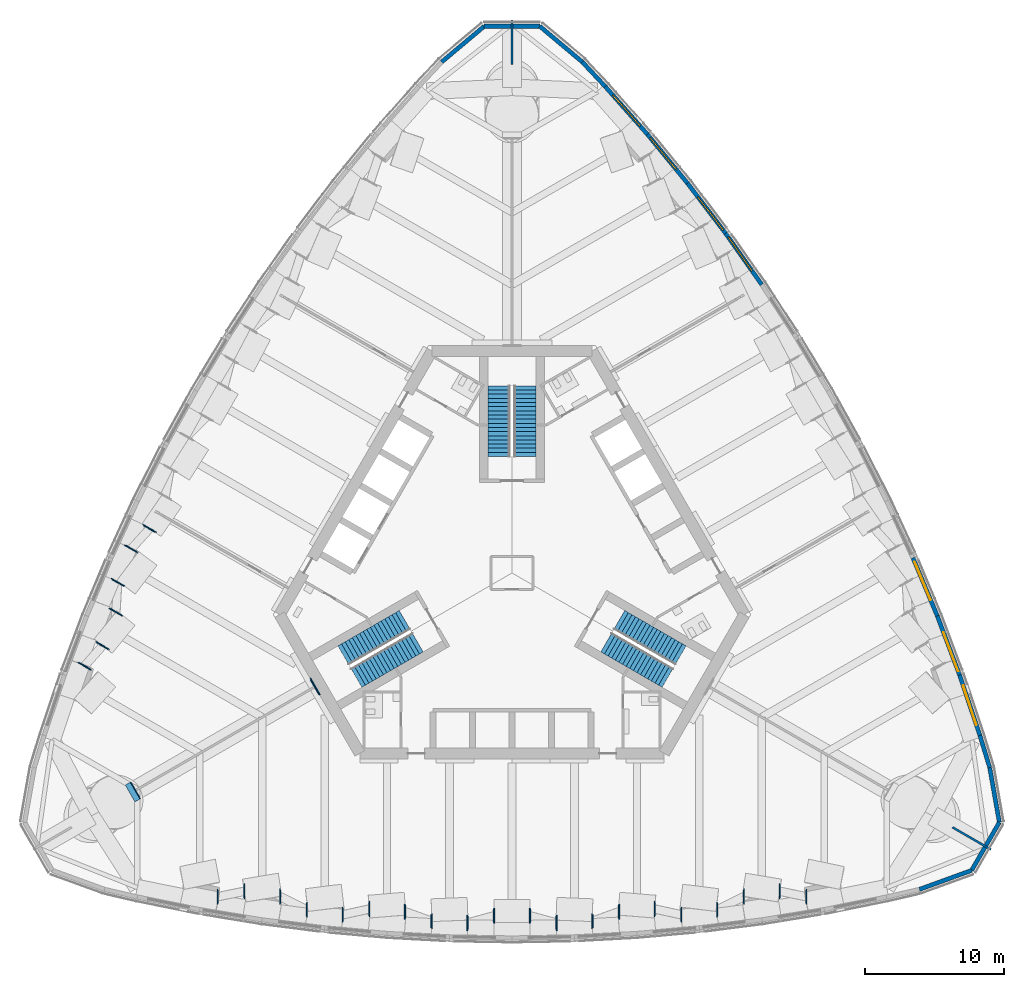
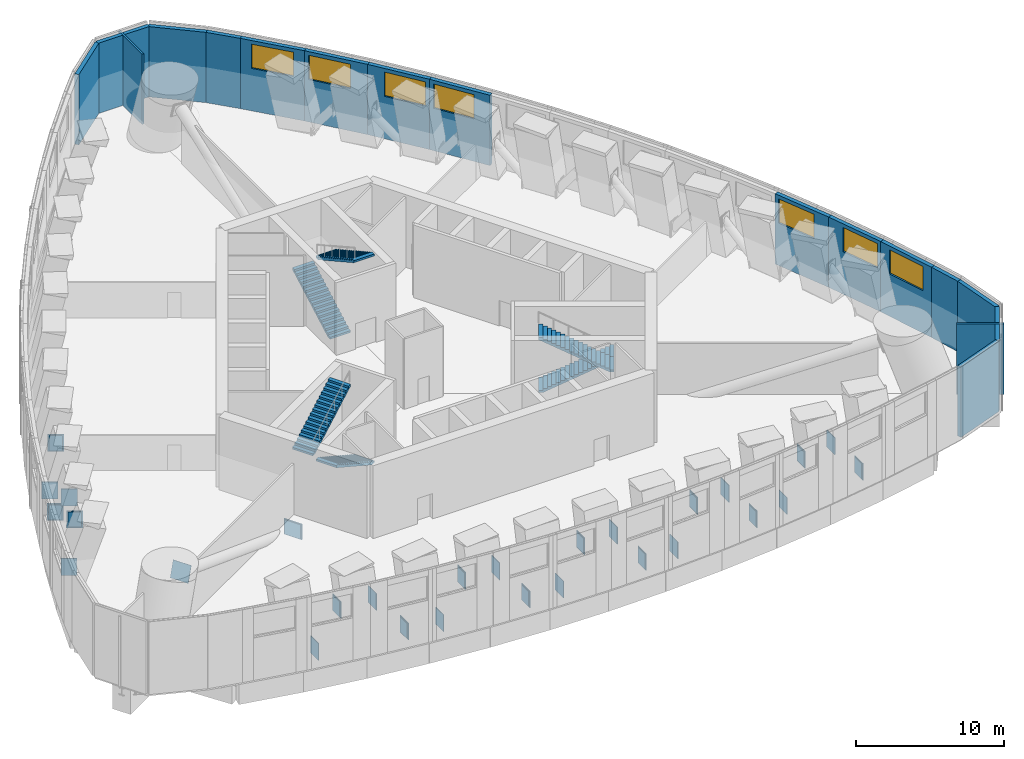
# One storey, part 10 of 25: 28 discrete accessories, 17 walls, 7 windows, 6 stair flights, 7 openings, 3 elements without a shape of their own.
"""IFC4 building model written with IfcOpenShell, lengths in metres."""

from ifc_helpers import new_model, si_unit, direction, frame, frame_2d, origin, origin_2d, place, context, subcontext, project, spatial, polyline, rectangle, outline, extrude, material, layer, layer_set, type_object, element, fill, aggregate, save


model = new_model("IFC4")

# Units and contexts
model_context = context("Model", 3, precision=1e-05, world=origin(), true_north=direction((0.0, 1.0)))
body_context = subcontext(model_context, "Body", "Model", "MODEL_VIEW")
ifc_project = project(units=[si_unit("LENGTHUNIT", "METRE"), si_unit("AREAUNIT", "SQUARE_METRE"), si_unit("VOLUMEUNIT", "CUBIC_METRE"), si_unit("PLANEANGLEUNIT", "RADIAN"), si_unit("MASSUNIT", "GRAM", prefix="KILO")], contexts=[model_context])

# Site, building, storey
site_placement = place(None, origin())
site = spatial("IfcSite", under=ifc_project, at=site_placement, CompositionType="ELEMENT")
building_placement = place(site_placement, origin())
building = spatial("IfcBuilding", under=site, at=building_placement, Name="Trefoil Bronze Tower", CompositionType="ELEMENT")
storey_placement = place(building_placement, frame((0.0, 0.0, 178.699951171875)))
storey = spatial("IfcBuildingStorey", under=building, at=storey_placement, Name="L41", CompositionType="ELEMENT", Elevation=178.699951171875)

# Walls
ifc_material_1 = material(Name="Concrete B80", Category="concrete")
ifc_layer_1 = layer(ifc_material_1, 0.300048828125)
ifc_layer_set_1 = layer_set([ifc_layer_1], Name="Belt wall 300")
wall_type_1 = type_object("IfcWallType", Name="Belt wall 300", PredefinedType="SOLIDWALL", material=ifc_layer_set_1)
wall_1_placement = place(storey_placement, frame((29.357666015625, -22.799560546875, 0.0), z_axis=(0.0, 0.0, 1.0), x_axis=(0.939709670534, 0.341973295893, 0.0)))
element("IfcWall", 1, at=wall_1_placement, inside=storey, type_object=wall_type_1, Name="Belt wall T2.15", PredefinedType="SOLIDWALL", context=body_context, shape_type="SweptSolid", body=[
    extrude(rectangle(XDim=4.00146484375, YDim=0.300048828125, at=frame_2d((2.000732421875, 0.0))), origin(), (0.0, 0.0, 1.0), 5.800048828125),
])
for number, where, z_axis, x_axis, name in (
    (2, (33.117919921875, -21.43115234375, 0.0), (0.0, 0.0, 1.0), (0.500023469478, 0.866011853251, 0.0), "Belt wall T2.16"),
    (3, (35.118896484375, -17.965576171875, 0.0), (0.0, 0.0, 1.0), (-0.173691363561, 0.984800137198, 0.0), "Belt wall T2.17"),
):
    element("IfcWall", number, at=place(storey_placement, frame(where, z_axis=z_axis, x_axis=x_axis)), inside=storey, type_object=wall_type_1, Name=name, PredefinedType="SOLIDWALL", context=body_context, shape_type="SweptSolid", body=[
        extrude(rectangle(XDim=4.001708984375, YDim=0.300048828125, at=frame_2d((2.0009765625, 0.0))), origin(), (0.0, 0.0, 1.0), 5.800048828125),
    ])
wall_2_placement = place(storey_placement, frame((34.423828125, -14.024658203125, 0.0), z_axis=(0.0, 0.0, 1.0), x_axis=(-0.291639268075, 0.956528377685, 0.0)))
element("IfcWall", 4, at=wall_2_placement, inside=storey, type_object=wall_type_1, Name="Belt wall T2.18", PredefinedType="SOLIDWALL", context=body_context, shape_type="SweptSolid", body=[
    extrude(rectangle(XDim=2.420166015625, YDim=0.300048828125, at=frame_2d((1.2099609375, 0.0))), origin(), (0.0, 0.0, 1.0), 5.800048828125),
])

# Wall, opening, window
wall_3_placement = place(storey_placement, frame((33.718017578125, -11.709716796875, 0.0), z_axis=(0.0, 0.0, 1.0), x_axis=(-0.318380687167, 0.947962941279, 0.0)))
wall_3 = element("IfcWall", 5, at=wall_3_placement, inside=storey, type_object=wall_type_1, Name="Belt wall T2.19", PredefinedType="SOLIDWALL", context=body_context, shape_type="SweptSolid", body=[
    extrude(rectangle(XDim=4.591064453125, YDim=0.300048828125, at=frame_2d((2.29541015625, 0.0))), origin(), (0.0, 0.0, 1.0), 5.800048828125),
])
opening_1_placement = place(wall_3_placement, frame((0.795654296875, 0.0, 3.5)))
opening_1 = element("IfcOpeningElement", 6, at=opening_1_placement, cuts=wall_3, Name="Opening LV1", PredefinedType="OPENING", context=body_context, shape_type="SweptSolid", body=[
    extrude(rectangle(XDim=3.0, YDim=2.0, at=frame_2d((1.5, 1.0))), frame((0.0, 0.159912109375, 0.0), z_axis=(0.0, -1.0, 0.0), x_axis=(1.0, 0.0, 0.0)), (0.0, 0.0, 1.0), 0.320068359375),
])
ifc_material_2 = material(Name="Bronze-finish aluminium louvre", Category="aluminium")
window_type = type_object("IfcWindowType", Name="Plant louvre 3000", PartitioningType="SINGLE_PANEL", PredefinedType="USERDEFINED", material=ifc_material_2)
window_1_placement = place(opening_1_placement, origin())
window_1 = element("IfcWindow", 7, at=window_1_placement, inside=storey, type_object=window_type, Name="Plant louvre L41 F2.2.1", ObjectType="LOUVRE", OverallHeight=2.0, OverallWidth=3.0, PartitioningType="SINGLE_PANEL", PredefinedType="USERDEFINED", context=body_context, shape_type="SweptSolid", body=[
    extrude(rectangle(XDim=3.0, YDim=2.0, at=frame_2d((1.5, 1.0))), frame((0.0, 0.030029296875, 0.0), z_axis=(0.0, -1.0, 0.0), x_axis=(1.0, 0.0, 0.0)), (0.0, 0.0, 1.0), 0.06005859375),
])
fill(opening_1, window_1)

wall_4_placement = place(storey_placement, frame((32.25634765625, -7.357666015625, 0.0), z_axis=(0.0, 0.0, 1.0), x_axis=(-0.352941426142, 0.935645418795, 0.0)))
wall_4 = element("IfcWall", 8, at=wall_4_placement, inside=storey, type_object=wall_type_1, Name="Belt wall T2.20", PredefinedType="SOLIDWALL", context=body_context, shape_type="SweptSolid", body=[
    extrude(rectangle(XDim=4.560546875, YDim=0.300048828125, at=frame_2d((2.2802734375, 0.0))), origin(), (0.0, 0.0, 1.0), 5.800048828125),
])
opening_2_placement = place(wall_4_placement, frame((0.300048828125, 0.0, 3.5)))
opening_2 = element("IfcOpeningElement", 9, at=opening_2_placement, cuts=wall_4, Name="Opening LV1", PredefinedType="OPENING", context=body_context, shape_type="SweptSolid", body=[
    extrude(rectangle(XDim=3.0, YDim=2.0, at=frame_2d((1.5, 1.0))), frame((0.0, 0.159912109375, 0.0), z_axis=(0.0, -1.0, 0.0), x_axis=(1.0, 0.0, 0.0)), (0.0, 0.0, 1.0), 0.320068359375),
])
window_2_placement = place(opening_2_placement, origin())
window_2 = element("IfcWindow", 10, at=window_2_placement, inside=storey, type_object=window_type, Name="Plant louvre L41 F2.3.1", ObjectType="LOUVRE", OverallHeight=2.0, OverallWidth=3.0, PartitioningType="SINGLE_PANEL", PredefinedType="USERDEFINED", context=body_context, shape_type="SweptSolid", body=[
    extrude(rectangle(XDim=3.0, YDim=2.0, at=frame_2d((1.5, 1.0))), frame((0.0, 0.030029296875, 0.0), z_axis=(0.0, -1.0, 0.0), x_axis=(1.0, 0.0, 0.0)), (0.0, 0.0, 1.0), 0.06005859375),
])
fill(opening_2, window_2)

wall_5_placement = place(storey_placement, frame((30.646728515625, -3.090576171875, 0.0), z_axis=(0.0, 0.0, 1.0), x_axis=(-0.386762112496, 0.922179520667, 0.0)))
wall_5 = element("IfcWall", 11, at=wall_5_placement, inside=storey, type_object=wall_type_1, Name="Belt wall T2.21", PredefinedType="SOLIDWALL", context=body_context, shape_type="SweptSolid", body=[
    extrude(rectangle(XDim=4.5361328125, YDim=0.300048828125, at=frame_2d((2.26806640625, 0.0))), origin(), (0.0, 0.0, 1.0), 5.800048828125),
])
opening_3_placement = place(wall_5_placement, frame((1.236328125, 0.0, 3.5)))
opening_3 = element("IfcOpeningElement", 12, at=opening_3_placement, cuts=wall_5, Name="Opening LV1", PredefinedType="OPENING", context=body_context, shape_type="SweptSolid", body=[
    extrude(rectangle(XDim=3.0, YDim=2.0, at=frame_2d((1.5, 1.0))), frame((0.0, 0.159912109375, 0.0), z_axis=(0.0, -1.0, 0.0), x_axis=(1.0, 0.0, 0.0)), (0.0, 0.0, 1.0), 0.320068359375),
])
window_3_placement = place(opening_3_placement, origin())
window_3 = element("IfcWindow", 13, at=window_3_placement, inside=storey, type_object=window_type, Name="Plant louvre L41 F2.4.1", ObjectType="LOUVRE", OverallHeight=2.0, OverallWidth=3.0, PartitioningType="SINGLE_PANEL", PredefinedType="USERDEFINED", context=body_context, shape_type="SweptSolid", body=[
    extrude(rectangle(XDim=3.0, YDim=2.0, at=frame_2d((1.5, 1.0))), frame((0.0, 0.030029296875, 0.0), z_axis=(0.0, -1.0, 0.0), x_axis=(1.0, 0.0, 0.0)), (0.0, 0.0, 1.0), 0.06005859375),
])
fill(opening_3, window_3)

wall_6_placement = place(storey_placement, frame((17.994873046875, 20.78173828125, 0.0), z_axis=(0.0, 0.0, 1.0), x_axis=(-0.575987178736, 0.817458726745, 0.0)))
wall_6 = element("IfcWall", 14, at=wall_6_placement, inside=storey, type_object=wall_type_1, Name="Belt wall T2.27", PredefinedType="SOLIDWALL", context=body_context, shape_type="SweptSolid", body=[
    extrude(rectangle(XDim=4.518310546875, YDim=0.300048828125, at=frame_2d((2.25927734375, 0.0))), origin(), (0.0, 0.0, 1.0), 5.800048828125),
])
opening_4_placement = place(wall_6_placement, frame((1.21826171875, 0.0, 3.5)))
opening_4 = element("IfcOpeningElement", 15, at=opening_4_placement, cuts=wall_6, Name="Opening LV1", PredefinedType="OPENING", context=body_context, shape_type="SweptSolid", body=[
    extrude(rectangle(XDim=3.0, YDim=2.0, at=frame_2d((1.5, 1.0))), frame((0.0, 0.159912109375, 0.0), z_axis=(0.0, -1.0, 0.0), x_axis=(1.0, 0.0, 0.0)), (0.0, 0.0, 1.0), 0.320068359375),
])
window_4_placement = place(opening_4_placement, origin())
window_4 = element("IfcWindow", 16, at=window_4_placement, inside=storey, type_object=window_type, Name="Plant louvre L41 F2.10.1", ObjectType="LOUVRE", OverallHeight=2.0, OverallWidth=3.0, PartitioningType="SINGLE_PANEL", PredefinedType="USERDEFINED", context=body_context, shape_type="SweptSolid", body=[
    extrude(rectangle(XDim=3.0, YDim=2.0, at=frame_2d((1.5, 1.0))), frame((0.0, 0.030029296875, 0.0), z_axis=(0.0, -1.0, 0.0), x_axis=(1.0, 0.0, 0.0)), (0.0, 0.0, 1.0), 0.06005859375),
])
fill(opening_4, window_4)

wall_7_placement = place(storey_placement, frame((15.392333984375, 24.475341796875, 0.0), z_axis=(0.0, 0.0, 1.0), x_axis=(-0.605274299339, 0.796016973789, 0.0)))
wall_7 = element("IfcWall", 17, at=wall_7_placement, inside=storey, type_object=wall_type_1, Name="Belt wall T2.28", PredefinedType="SOLIDWALL", context=body_context, shape_type="SweptSolid", body=[
    extrude(rectangle(XDim=4.5361328125, YDim=0.300048828125, at=frame_2d((2.26806640625, 0.0))), origin(), (0.0, 0.0, 1.0), 5.800048828125),
])
opening_5_placement = place(wall_7_placement, frame((0.300048828125, 0.0, 3.5)))
opening_5 = element("IfcOpeningElement", 18, at=opening_5_placement, cuts=wall_7, Name="Opening LV1", PredefinedType="OPENING", context=body_context, shape_type="SweptSolid", body=[
    extrude(rectangle(XDim=3.0, YDim=2.0, at=frame_2d((1.5, 1.0))), frame((0.0, 0.159912109375, 0.0), z_axis=(0.0, -1.0, 0.0), x_axis=(1.0, 0.0, 0.0)), (0.0, 0.0, 1.0), 0.320068359375),
])
window_5_placement = place(opening_5_placement, origin())
window_5 = element("IfcWindow", 19, at=window_5_placement, inside=storey, type_object=window_type, Name="Plant louvre L41 F2.11.1", ObjectType="LOUVRE", OverallHeight=2.0, OverallWidth=3.0, PartitioningType="SINGLE_PANEL", PredefinedType="USERDEFINED", context=body_context, shape_type="SweptSolid", body=[
    extrude(rectangle(XDim=3.0, YDim=2.0, at=frame_2d((1.5, 1.0))), frame((0.0, 0.030029296875, 0.0), z_axis=(0.0, -1.0, 0.0), x_axis=(1.0, 0.0, 0.0)), (0.0, 0.0, 1.0), 0.06005859375),
])
fill(opening_5, window_5)

wall_8_placement = place(storey_placement, frame((12.646728515625, 28.086181640625, 0.0), z_axis=(0.0, 0.0, 1.0), x_axis=(-0.633811934582, 0.773487189022, 0.0)))
wall_8 = element("IfcWall", 20, at=wall_8_placement, inside=storey, type_object=wall_type_1, Name="Belt wall T2.29", PredefinedType="SOLIDWALL", context=body_context, shape_type="SweptSolid", body=[
    extrude(rectangle(XDim=4.560302734375, YDim=0.300048828125, at=frame_2d((2.2802734375, 0.0))), origin(), (0.0, 0.0, 1.0), 5.800048828125),
])
opening_6_placement = place(wall_8_placement, frame((1.260498046875, 0.0, 3.5)))
opening_6 = element("IfcOpeningElement", 21, at=opening_6_placement, cuts=wall_8, Name="Opening LV1", PredefinedType="OPENING", context=body_context, shape_type="SweptSolid", body=[
    extrude(rectangle(XDim=3.0, YDim=2.0, at=frame_2d((1.5, 1.0))), frame((0.0, 0.159912109375, 0.0), z_axis=(0.0, -1.0, 0.0), x_axis=(1.0, 0.0, 0.0)), (0.0, 0.0, 1.0), 0.320068359375),
])
window_6_placement = place(opening_6_placement, origin())
window_6 = element("IfcWindow", 22, at=window_6_placement, inside=storey, type_object=window_type, Name="Plant louvre L41 F2.12.1", ObjectType="LOUVRE", OverallHeight=2.0, OverallWidth=3.0, PartitioningType="SINGLE_PANEL", PredefinedType="USERDEFINED", context=body_context, shape_type="SweptSolid", body=[
    extrude(rectangle(XDim=3.0, YDim=2.0, at=frame_2d((1.5, 1.0))), frame((0.0, 0.030029296875, 0.0), z_axis=(0.0, -1.0, 0.0), x_axis=(1.0, 0.0, 0.0)), (0.0, 0.0, 1.0), 0.06005859375),
])
fill(opening_6, window_6)

wall_9_placement = place(storey_placement, frame((9.75634765625, 31.613525390625, 0.0), z_axis=(0.0, 0.0, 1.0), x_axis=(-0.66176232182, 0.7497136983, 0.0)))
wall_9 = element("IfcWall", 23, at=wall_9_placement, inside=storey, type_object=wall_type_1, Name="Belt wall T2.30", PredefinedType="SOLIDWALL", context=body_context, shape_type="SweptSolid", body=[
    extrude(rectangle(XDim=4.59130859375, YDim=0.300048828125, at=frame_2d((2.295654296875, 0.0))), origin(), (0.0, 0.0, 1.0), 5.800048828125),
])
opening_7_placement = place(wall_9_placement, frame((0.795654296875, 0.0, 3.5)))
opening_7 = element("IfcOpeningElement", 24, at=opening_7_placement, cuts=wall_9, Name="Opening LV1", PredefinedType="OPENING", context=body_context, shape_type="SweptSolid", body=[
    extrude(rectangle(XDim=3.0, YDim=2.0, at=frame_2d((1.5, 1.0))), frame((0.0, 0.159912109375, 0.0), z_axis=(0.0, -1.0, 0.0), x_axis=(1.0, 0.0, 0.0)), (0.0, 0.0, 1.0), 0.320068359375),
])
window_7_placement = place(opening_7_placement, origin())
window_7 = element("IfcWindow", 25, at=window_7_placement, inside=storey, type_object=window_type, Name="Plant louvre L41 F2.13.1", ObjectType="LOUVRE", OverallHeight=2.0, OverallWidth=3.0, PartitioningType="SINGLE_PANEL", PredefinedType="USERDEFINED", context=body_context, shape_type="SweptSolid", body=[
    extrude(rectangle(XDim=3.0, YDim=2.0, at=frame_2d((1.5, 1.0))), frame((0.0, 0.030029296875, 0.0), z_axis=(0.0, -1.0, 0.0), x_axis=(1.0, 0.0, 0.0)), (0.0, 0.0, 1.0), 0.06005859375),
])
fill(opening_7, window_7)

# Walls
wall_10_placement = place(storey_placement, frame((6.718017578125, 35.0556640625, 0.0), z_axis=(0.0, 0.0, 1.0), x_axis=(-0.682533872246, 0.730853961635, 0.0)))
element("IfcWall", 26, at=wall_10_placement, inside=storey, type_object=wall_type_1, Name="Belt wall T2.31", PredefinedType="SOLIDWALL", context=body_context, shape_type="SweptSolid", body=[
    extrude(rectangle(XDim=2.420166015625, YDim=0.300048828125, at=frame_2d((1.2099609375, 0.0))), origin(), (0.0, 0.0, 1.0), 5.800048828125),
])
for number, where, z_axis, x_axis, name in (
    (27, (5.066162109375, 36.824462890625, 0.0), (0.0, 0.0, 1.0), (-0.766066523004, 0.642761294986, 0.0), "Belt wall T2.32"),
    (28, (2.000732421875, 39.396484375, 0.0), (0.0, 0.0, 1.0), (-1.0, 0.0, 0.0), "Belt wall T2.33"),
    (29, (-2.000732421875, 39.396484375, 0.0), (0.0, 0.0, 1.0), (-0.766066523004, -0.642761294986, 0.0), "Belt wall T2.34"),
):
    element("IfcWall", number, at=place(storey_placement, frame(where, z_axis=z_axis, x_axis=x_axis)), inside=storey, type_object=wall_type_1, Name=name, PredefinedType="SOLIDWALL", context=body_context, shape_type="SweptSolid", body=[
        extrude(rectangle(XDim=4.00146484375, YDim=0.300048828125, at=frame_2d((2.000732421875, 0.0))), origin(), (0.0, 0.0, 1.0), 5.800048828125),
    ])
ifc_material_3 = material(Name="Gypsum board on steel studs", Category="steel")
ifc_layer_2 = layer(ifc_material_3, 0.14990234375)
ifc_layer_set_2 = layer_set([ifc_layer_2], Name="Party wall 150")
wall_type_2 = type_object("IfcWallType", Name="Party wall 150", PredefinedType="PARTITIONING", material=ifc_layer_set_2)
for number, where, z_axis, x_axis, name in (
    (30, (31.73974609375, -18.324951171875, 0.0), (0.0, 0.0, 1.0), (0.866036909293, -0.499980071345, 0.0), "Party wall K1 L41"),
    (31, (0.0, 36.64990234375, 0.0), (0.0, 0.0, 1.0), (0.0, 1.0, 0.0), "Party wall K2 L41"),
):
    element("IfcWall", number, at=place(storey_placement, frame(where, z_axis=z_axis, x_axis=x_axis)), inside=storey, type_object=wall_type_2, Name=name, PredefinedType="PARTITIONING", context=body_context, shape_type="SweptSolid", body=[
        extrude(rectangle(XDim=3.199462890625, YDim=0.14990234375, at=frame_2d((1.599609375, 0.0))), origin(), (0.0, 0.0, 1.0), 5.800048828125),
    ])

# Stair, stair flights
ifc_material_4 = material(Name="Precast concrete B80", Category="concrete")
stair_type = type_object("IfcStairType", Name="Exit stair 36 risers", PredefinedType="HALF_TURN_STAIR", material=ifc_material_4)
stair_1_placement = place(storey_placement, origin())
stair_1 = element("IfcStair", 32, at=stair_1_placement, inside=storey, type_object=stair_type, Name="Stair ST1 L41", PredefinedType="HALF_TURN_STAIR")
ifc_material_5 = material(Name="Precast concrete B80", Category="concrete")
stair_flight_type = type_object("IfcStairFlightType", Name="Stair flight 1600", PredefinedType="STRAIGHT", material=ifc_material_5)
stair_flight_1_placement = place(storey_placement, frame((7.728515625, -3.39404296875, 0.0), z_axis=(0.0, 0.0, 1.0), x_axis=(0.866025403784, -0.5, 0.0)))
stair_flight_1 = element("IfcStairFlight", 33, at=stair_flight_1_placement, type_object=stair_flight_type, Name="ST1 flight 1", NumberOfRisers=18, NumberOfTreads=17, PredefinedType="STRAIGHT", RiserHeight=0.166666667, TreadLength=0.3, context=body_context, shape_type="SweptSolid", body=[
    extrude(outline(polyline([(0.0, 0.0), (0.0, 0.166748046875), (0.300048828125, 0.166748046875), (0.300048828125, 0.333251953125), (0.60009765625, 0.333251953125), (0.60009765625, 0.5), (0.89990234375, 0.5), (0.89990234375, 0.666748046875), (1.199951171875, 0.666748046875), (1.199951171875, 0.833251953125), (1.5, 0.833251953125), (1.5, 1.0), (1.800048828125, 1.0), (1.800048828125, 1.166748046875), (2.10009765625, 1.166748046875), (2.10009765625, 1.333251953125), (2.39990234375, 1.333251953125), (2.39990234375, 1.5), (2.699951171875, 1.5), (2.699951171875, 1.666748046875), (3.0, 1.666748046875), (3.0, 1.833251953125), (3.300048828125, 1.833251953125), (3.300048828125, 2.0), (3.60009765625, 2.0), (3.60009765625, 2.166748046875), (3.89990234375, 2.166748046875), (3.89990234375, 2.333251953125), (4.199951171875, 2.333251953125), (4.199951171875, 2.5), (4.5, 2.5), (4.5, 2.666748046875), (4.800048828125, 2.666748046875), (4.800048828125, 2.833251953125), (5.10009765625, 2.833251953125), (5.10009765625, 3.0), (5.10009765625, 2.661865234375), (0.30859375, 0.0), (0.0, 0.0)])), frame((0.0, 0.800048828125, 0.0), z_axis=(0.0, -1.0, 0.0), x_axis=(1.0, 0.0, 0.0)), (0.0, 0.0, 1.0), 1.60009765625),
])
stair_flight_2_placement = place(storey_placement, frame((11.22021484375, -7.546142578125, 3.0), z_axis=(0.0, 0.0, 1.0), x_axis=(-0.866025403784, 0.5, 0.0)))
stair_flight_2 = element("IfcStairFlight", 34, at=stair_flight_2_placement, type_object=stair_flight_type, Name="ST1 flight 2", NumberOfRisers=18, NumberOfTreads=17, PredefinedType="STRAIGHT", RiserHeight=0.166666667, TreadLength=0.3, context=body_context, shape_type="SweptSolid", body=[
    extrude(outline(polyline([(0.0, 0.0), (0.0, 0.166748046875), (0.300048828125, 0.166748046875), (0.300048828125, 0.333251953125), (0.60009765625, 0.333251953125), (0.60009765625, 0.5), (0.89990234375, 0.5), (0.89990234375, 0.666748046875), (1.199951171875, 0.666748046875), (1.199951171875, 0.833251953125), (1.5, 0.833251953125), (1.5, 1.0), (1.800048828125, 1.0), (1.800048828125, 1.166748046875), (2.10009765625, 1.166748046875), (2.10009765625, 1.333251953125), (2.39990234375, 1.333251953125), (2.39990234375, 1.5), (2.699951171875, 1.5), (2.699951171875, 1.666748046875), (3.0, 1.666748046875), (3.0, 1.833251953125), (3.300048828125, 1.833251953125), (3.300048828125, 2.0), (3.60009765625, 2.0), (3.60009765625, 2.166748046875), (3.89990234375, 2.166748046875), (3.89990234375, 2.333251953125), (4.199951171875, 2.333251953125), (4.199951171875, 2.5), (4.5, 2.5), (4.5, 2.666748046875), (4.800048828125, 2.666748046875), (4.800048828125, 2.833251953125), (5.10009765625, 2.833251953125), (5.10009765625, 3.0), (5.10009765625, 2.661865234375), (0.30859375, 0.0), (0.0, 0.0)])), frame((0.0, 0.800048828125, 0.0), z_axis=(0.0, -1.0, 0.0), x_axis=(1.0, 0.0, 0.0)), (0.0, 0.0, 1.0), 1.60009765625),
])
aggregate(stair_1, [stair_flight_1, stair_flight_2])

stair_2_placement = place(storey_placement, origin())
stair_2 = element("IfcStair", 35, at=stair_2_placement, inside=storey, type_object=stair_type, Name="Stair ST2 L41", PredefinedType="HALF_TURN_STAIR")
stair_flight_3_placement = place(storey_placement, frame((-0.925048828125, 8.389892578125, 0.0), z_axis=(0.0, 0.0, 1.0), x_axis=(0.0, 1.0, 0.0)))
stair_flight_3 = element("IfcStairFlight", 36, at=stair_flight_3_placement, type_object=stair_flight_type, Name="ST2 flight 1", NumberOfRisers=18, NumberOfTreads=17, PredefinedType="STRAIGHT", RiserHeight=0.166666667, TreadLength=0.3, context=body_context, shape_type="SweptSolid", body=[
    extrude(outline(polyline([(0.0, 0.0), (0.0, 0.166748046875), (0.300048828125, 0.166748046875), (0.300048828125, 0.333251953125), (0.60009765625, 0.333251953125), (0.60009765625, 0.5), (0.89990234375, 0.5), (0.89990234375, 0.666748046875), (1.199951171875, 0.666748046875), (1.199951171875, 0.833251953125), (1.5, 0.833251953125), (1.5, 1.0), (1.800048828125, 1.0), (1.800048828125, 1.166748046875), (2.10009765625, 1.166748046875), (2.10009765625, 1.333251953125), (2.39990234375, 1.333251953125), (2.39990234375, 1.5), (2.699951171875, 1.5), (2.699951171875, 1.666748046875), (3.0, 1.666748046875), (3.0, 1.833251953125), (3.300048828125, 1.833251953125), (3.300048828125, 2.0), (3.60009765625, 2.0), (3.60009765625, 2.166748046875), (3.89990234375, 2.166748046875), (3.89990234375, 2.333251953125), (4.199951171875, 2.333251953125), (4.199951171875, 2.5), (4.5, 2.5), (4.5, 2.666748046875), (4.800048828125, 2.666748046875), (4.800048828125, 2.833251953125), (5.10009765625, 2.833251953125), (5.10009765625, 3.0), (5.10009765625, 2.661865234375), (0.30859375, 0.0), (0.0, 0.0)])), frame((0.0, 0.800048828125, 0.0), z_axis=(0.0, -1.0, 0.0), x_axis=(1.0, 0.0, 0.0)), (0.0, 0.0, 1.0), 1.60009765625),
])
stair_flight_4_placement = place(storey_placement, frame((0.925048828125, 13.489990234375, 3.0), z_axis=(0.0, 0.0, 1.0), x_axis=(0.0, -1.0, 0.0)))
stair_flight_4 = element("IfcStairFlight", 37, at=stair_flight_4_placement, type_object=stair_flight_type, Name="ST2 flight 2", NumberOfRisers=18, NumberOfTreads=17, PredefinedType="STRAIGHT", RiserHeight=0.166666667, TreadLength=0.3, context=body_context, shape_type="SweptSolid", body=[
    extrude(outline(polyline([(0.0, 0.0), (0.0, 0.166748046875), (0.300048828125, 0.166748046875), (0.300048828125, 0.333251953125), (0.60009765625, 0.333251953125), (0.60009765625, 0.5), (0.89990234375, 0.5), (0.89990234375, 0.666748046875), (1.199951171875, 0.666748046875), (1.199951171875, 0.833251953125), (1.5, 0.833251953125), (1.5, 1.0), (1.800048828125, 1.0), (1.800048828125, 1.166748046875), (2.10009765625, 1.166748046875), (2.10009765625, 1.333251953125), (2.39990234375, 1.333251953125), (2.39990234375, 1.5), (2.699951171875, 1.5), (2.699951171875, 1.666748046875), (3.0, 1.666748046875), (3.0, 1.833251953125), (3.300048828125, 1.833251953125), (3.300048828125, 2.0), (3.60009765625, 2.0), (3.60009765625, 2.166748046875), (3.89990234375, 2.166748046875), (3.89990234375, 2.333251953125), (4.199951171875, 2.333251953125), (4.199951171875, 2.5), (4.5, 2.5), (4.5, 2.666748046875), (4.800048828125, 2.666748046875), (4.800048828125, 2.833251953125), (5.10009765625, 2.833251953125), (5.10009765625, 3.0), (5.10009765625, 2.661865234375), (0.30859375, 0.0), (0.0, 0.0)])), frame((0.0, 0.800048828125, 0.0), z_axis=(0.0, -1.0, 0.0), x_axis=(1.0, 0.0, 0.0)), (0.0, 0.0, 1.0), 1.60009765625),
])
aggregate(stair_2, [stair_flight_3, stair_flight_4])

stair_3_placement = place(storey_placement, origin())
stair_3 = element("IfcStair", 38, at=stair_3_placement, inside=storey, type_object=stair_type, Name="Stair ST3 L41", PredefinedType="HALF_TURN_STAIR")
stair_flight_5_placement = place(storey_placement, frame((-6.803466796875, -4.99609375, 0.0), z_axis=(0.0, 0.0, 1.0), x_axis=(-0.866025403784, -0.5, 0.0)))
stair_flight_5 = element("IfcStairFlight", 39, at=stair_flight_5_placement, type_object=stair_flight_type, Name="ST3 flight 1", NumberOfRisers=18, NumberOfTreads=17, PredefinedType="STRAIGHT", RiserHeight=0.166666667, TreadLength=0.3, context=body_context, shape_type="SweptSolid", body=[
    extrude(outline(polyline([(0.0, 0.0), (0.0, 0.166748046875), (0.300048828125, 0.166748046875), (0.300048828125, 0.333251953125), (0.60009765625, 0.333251953125), (0.60009765625, 0.5), (0.89990234375, 0.5), (0.89990234375, 0.666748046875), (1.199951171875, 0.666748046875), (1.199951171875, 0.833251953125), (1.5, 0.833251953125), (1.5, 1.0), (1.800048828125, 1.0), (1.800048828125, 1.166748046875), (2.10009765625, 1.166748046875), (2.10009765625, 1.333251953125), (2.39990234375, 1.333251953125), (2.39990234375, 1.5), (2.699951171875, 1.5), (2.699951171875, 1.666748046875), (3.0, 1.666748046875), (3.0, 1.833251953125), (3.300048828125, 1.833251953125), (3.300048828125, 2.0), (3.60009765625, 2.0), (3.60009765625, 2.166748046875), (3.89990234375, 2.166748046875), (3.89990234375, 2.333251953125), (4.199951171875, 2.333251953125), (4.199951171875, 2.5), (4.5, 2.5), (4.5, 2.666748046875), (4.800048828125, 2.666748046875), (4.800048828125, 2.833251953125), (5.10009765625, 2.833251953125), (5.10009765625, 3.0), (5.10009765625, 2.661865234375), (0.30859375, 0.0), (0.0, 0.0)])), frame((0.0, 0.800048828125, 0.0), z_axis=(0.0, -1.0, 0.0), x_axis=(1.0, 0.0, 0.0)), (0.0, 0.0, 1.0), 1.60009765625),
])
stair_flight_6_placement = place(storey_placement, frame((-12.145263671875, -5.94384765625, 3.0), z_axis=(0.0, 0.0, 1.0), x_axis=(0.866025403784, 0.5, 0.0)))
stair_flight_6 = element("IfcStairFlight", 40, at=stair_flight_6_placement, type_object=stair_flight_type, Name="ST3 flight 2", NumberOfRisers=18, NumberOfTreads=17, PredefinedType="STRAIGHT", RiserHeight=0.166666667, TreadLength=0.3, context=body_context, shape_type="SweptSolid", body=[
    extrude(outline(polyline([(0.0, 0.0), (0.0, 0.166748046875), (0.300048828125, 0.166748046875), (0.300048828125, 0.333251953125), (0.60009765625, 0.333251953125), (0.60009765625, 0.5), (0.89990234375, 0.5), (0.89990234375, 0.666748046875), (1.199951171875, 0.666748046875), (1.199951171875, 0.833251953125), (1.5, 0.833251953125), (1.5, 1.0), (1.800048828125, 1.0), (1.800048828125, 1.166748046875), (2.10009765625, 1.166748046875), (2.10009765625, 1.333251953125), (2.39990234375, 1.333251953125), (2.39990234375, 1.5), (2.699951171875, 1.5), (2.699951171875, 1.666748046875), (3.0, 1.666748046875), (3.0, 1.833251953125), (3.300048828125, 1.833251953125), (3.300048828125, 2.0), (3.60009765625, 2.0), (3.60009765625, 2.166748046875), (3.89990234375, 2.166748046875), (3.89990234375, 2.333251953125), (4.199951171875, 2.333251953125), (4.199951171875, 2.5), (4.5, 2.5), (4.5, 2.666748046875), (4.800048828125, 2.666748046875), (4.800048828125, 2.833251953125), (5.10009765625, 2.833251953125), (5.10009765625, 3.0), (5.10009765625, 2.661865234375), (0.30859375, 0.0), (0.0, 0.0)])), frame((0.0, 0.800048828125, 0.0), z_axis=(0.0, -1.0, 0.0), x_axis=(1.0, 0.0, 0.0)), (0.0, 0.0, 1.0), 1.60009765625),
])
aggregate(stair_3, [stair_flight_5, stair_flight_6])

# Discrete accessories
ifc_material_6 = material(Name="Steel C355", Category="steel")
discrete_accessory_type = type_object("IfcDiscreteAccessoryType", Name="End plate and cast-in plate of a brace connection", PredefinedType="USERDEFINED", material=ifc_material_6)
for number, where, z_axis, x_axis, name in (
    (41, (-21.199951171875, -23.32568359375, 0.597900390625), (0.0, 0.0, 1.0), (1.0, 0.0, 0.0), "Belt truss diagonal F1.1 L41 end plate and cast-in plate, lower end"),
    (42, (-19.300048828125, -22.935791015625, 3.15234375), (0.0, 0.0, 1.0), (-1.0, 0.0, 0.0), "Belt truss diagonal F1.1 L41 end plate and cast-in plate, upper end"),
    (43, (-14.800048828125, -24.264892578125, 0.597900390625), (0.0, 0.0, 1.0), (-1.0, 0.0, 0.0), "Belt truss diagonal F1.2 L41 end plate and cast-in plate, lower end"),
    (44, (-16.699951171875, -23.3173828125, 3.15234375), (0.0, 0.0, 1.0), (1.0, 0.0, 0.0), "Belt truss diagonal F1.2 L41 end plate and cast-in plate, upper end"),
    (45, (-12.199951171875, -24.6298828125, 0.597900390625), (0.0, 0.0, 1.0), (1.0, 0.0, 0.0), "Belt truss diagonal F1.3 L41 end plate and cast-in plate, lower end"),
    (46, (-10.300048828125, -24.216064453125, 3.15234375), (0.0, 0.0, 1.0), (-1.0, 0.0, 0.0), "Belt truss diagonal F1.3 L41 end plate and cast-in plate, upper end"),
    (47, (-5.800048828125, -25.095703125, 0.597900390625), (0.0, 0.0, 1.0), (-1.0, 0.0, 0.0), "Belt truss diagonal F1.4 L41 end plate and cast-in plate, lower end"),
    (48, (-7.699951171875, -24.4052734375, 3.15234375), (0.0, 0.0, 1.0), (1.0, 0.0, 0.0), "Belt truss diagonal F1.4 L41 end plate and cast-in plate, upper end"),
    (49, (-3.199951171875, -25.21630859375, 0.597900390625), (0.0, 0.0, 1.0), (1.0, 0.0, 0.0), "Belt truss diagonal F1.5 L41 end plate and cast-in plate, lower end"),
    (50, (-1.300048828125, -24.702392578125, 3.15234375), (0.0, 0.0, 1.0), (-1.0, 0.0, 0.0), "Belt truss diagonal F1.5 L41 end plate and cast-in plate, upper end"),
    (51, (3.199951171875, -25.21630859375, 0.597900390625), (0.0, 0.0, 1.0), (-1.0, 0.0, 0.0), "Belt truss diagonal F1.6 L41 end plate and cast-in plate, lower end"),
    (52, (1.300048828125, -24.702392578125, 3.15234375), (0.0, 0.0, 1.0), (1.0, 0.0, 0.0), "Belt truss diagonal F1.6 L41 end plate and cast-in plate, upper end"),
    (53, (5.800048828125, -25.095703125, 0.597900390625), (0.0, 0.0, 1.0), (1.0, 0.0, 0.0), "Belt truss diagonal F1.7 L41 end plate and cast-in plate, lower end"),
    (54, (7.699951171875, -24.4052734375, 3.15234375), (0.0, 0.0, 1.0), (-1.0, 0.0, 0.0), "Belt truss diagonal F1.7 L41 end plate and cast-in plate, upper end"),
    (55, (12.199951171875, -24.6298828125, 0.597900390625), (0.0, 0.0, 1.0), (-1.0, 0.0, 0.0), "Belt truss diagonal F1.8 L41 end plate and cast-in plate, lower end"),
    (56, (10.300048828125, -24.216064453125, 3.15234375), (0.0, 0.0, 1.0), (1.0, 0.0, 0.0), "Belt truss diagonal F1.8 L41 end plate and cast-in plate, upper end"),
    (57, (14.800048828125, -24.264892578125, 0.597900390625), (0.0, 0.0, 1.0), (1.0, 0.0, 0.0), "Belt truss diagonal F1.9 L41 end plate and cast-in plate, lower end"),
    (58, (16.699951171875, -23.3173828125, 3.15234375), (0.0, 0.0, 1.0), (-1.0, 0.0, 0.0), "Belt truss diagonal F1.9 L41 end plate and cast-in plate, upper end"),
    (59, (21.199951171875, -23.32568359375, 0.597900390625), (0.0, 0.0, 1.0), (-1.0, 0.0, 0.0), "Belt truss diagonal F1.10 L41 end plate and cast-in plate, lower end"),
    (60, (19.300048828125, -22.935791015625, 3.15234375), (0.0, 0.0, 1.0), (1.0, 0.0, 0.0), "Belt truss diagonal F1.10 L41 end plate and cast-in plate, upper end"),
    (61, (-27.43017578125, 1.74951171875, 0.597900390625), (0.0, 0.0, 1.0), (0.499999999907, 0.866025403838, 0.0), "Belt truss diagonal F3.8 L41 end plate and cast-in plate, lower end"),
    (62, (-26.121826171875, 3.18798828125, 3.15234375), (0.0, 0.0, 1.0), (-0.499999999907, -0.866025403838, 0.0), "Belt truss diagonal F3.8 L41 end plate and cast-in plate, upper end"),
    (63, (-28.413818359375, -0.684814453125, 0.597900390625), (0.0, 0.0, 1.0), (-0.499999999907, -0.866025403838, 0.0), "Belt truss diagonal F3.9 L41 end plate and cast-in plate, lower end"),
    (64, (-28.54345703125, -2.803955078125, 3.15234375), (0.0, 0.0, 1.0), (0.499999999907, 0.866025403838, 0.0), "Belt truss diagonal F3.9 L41 end plate and cast-in plate, upper end"),
    (65, (-30.80078125, -6.69677734375, 0.597900390625), (0.0, 0.0, 1.0), (0.499999999907, 0.866025403838, 0.0), "Belt truss diagonal F3.10 L41 end plate and cast-in plate, lower end"),
    (66, (-29.512939453125, -5.246337890625, 3.15234375), (0.0, 0.0, 1.0), (-0.499999999907, -0.866025403838, 0.0), "Belt truss diagonal F3.10 L41 end plate and cast-in plate, upper end"),
):
    element("IfcDiscreteAccessory", number, at=place(storey_placement, frame(where, z_axis=z_axis, x_axis=x_axis)), inside=storey, type_object=discrete_accessory_type, Name=name, ObjectType="END PLATE AND CAST-IN PLATE", PredefinedType="USERDEFINED", context=body_context, shape_type="SweptSolid", body=[
        extrude(rectangle(XDim=0.0400390625, YDim=0.929931640625, at=origin_2d()), frame((0.02001953125, 0.0, -0.625)), (0.0, 0.0, 1.0), 1.25),
        extrude(rectangle(XDim=0.050048828125, YDim=1.10009765625, at=origin_2d()), frame((-0.025146484375, 0.0, -0.699951171875)), (0.0, 0.0, 1.0), 1.39990234375),
    ])
discrete_accessory_1_placement = place(storey_placement, frame((-14.202880859375, -8.199951171875, -1.231201171875), z_axis=(0.0, 0.0, 1.0), x_axis=(-0.866025403838, -0.499999999907, 0.0)))
element("IfcDiscreteAccessory", 67, at=discrete_accessory_1_placement, inside=storey, type_object=discrete_accessory_type, Name="Outrigger brace K3 L41 end plate and cast-in plate, core end", ObjectType="END PLATE AND CAST-IN PLATE", PredefinedType="USERDEFINED", context=body_context, shape_type="SweptSolid", body=[
    extrude(rectangle(XDim=0.050048828125, YDim=1.23388671875, at=origin_2d()), frame((0.02490234375, 0.0, -0.60009765625)), (0.0, 0.0, 1.0), 1.199951171875),
    extrude(rectangle(XDim=0.06005859375, YDim=1.39990234375, at=origin_2d()), frame((-0.030029296875, 0.000244140625, -0.64990234375)), (0.0, 0.0, 1.0), 1.300048828125),
])
discrete_accessory_2_placement = place(storey_placement, frame((-27.2939453125, -15.758056640625, 4.443115234375), z_axis=(0.273861278995, 0.158113882997, 0.948683297982), x_axis=(0.821583836145, 0.474341649084, -0.316227766221)))
element("IfcDiscreteAccessory", 68, at=discrete_accessory_2_placement, inside=storey, type_object=discrete_accessory_type, Name="Outrigger brace K3 L41 end plate and cast-in plate, mega column end", ObjectType="END PLATE AND CAST-IN PLATE", PredefinedType="USERDEFINED", context=body_context, shape_type="SweptSolid", body=[
    extrude(rectangle(XDim=0.050048828125, YDim=1.23388671875, at=origin_2d()), frame((0.025146484375, -0.000244140625, -0.574951171875)), (0.0, 0.0, 1.0), 1.14990234375),
    extrude(rectangle(XDim=0.06005859375, YDim=1.39990234375, at=origin_2d()), frame((-0.030029296875, 0.0, -0.64990234375)), (0.0, 0.0, 1.0), 1.300048828125),
])

save(model, "model.ifc")
